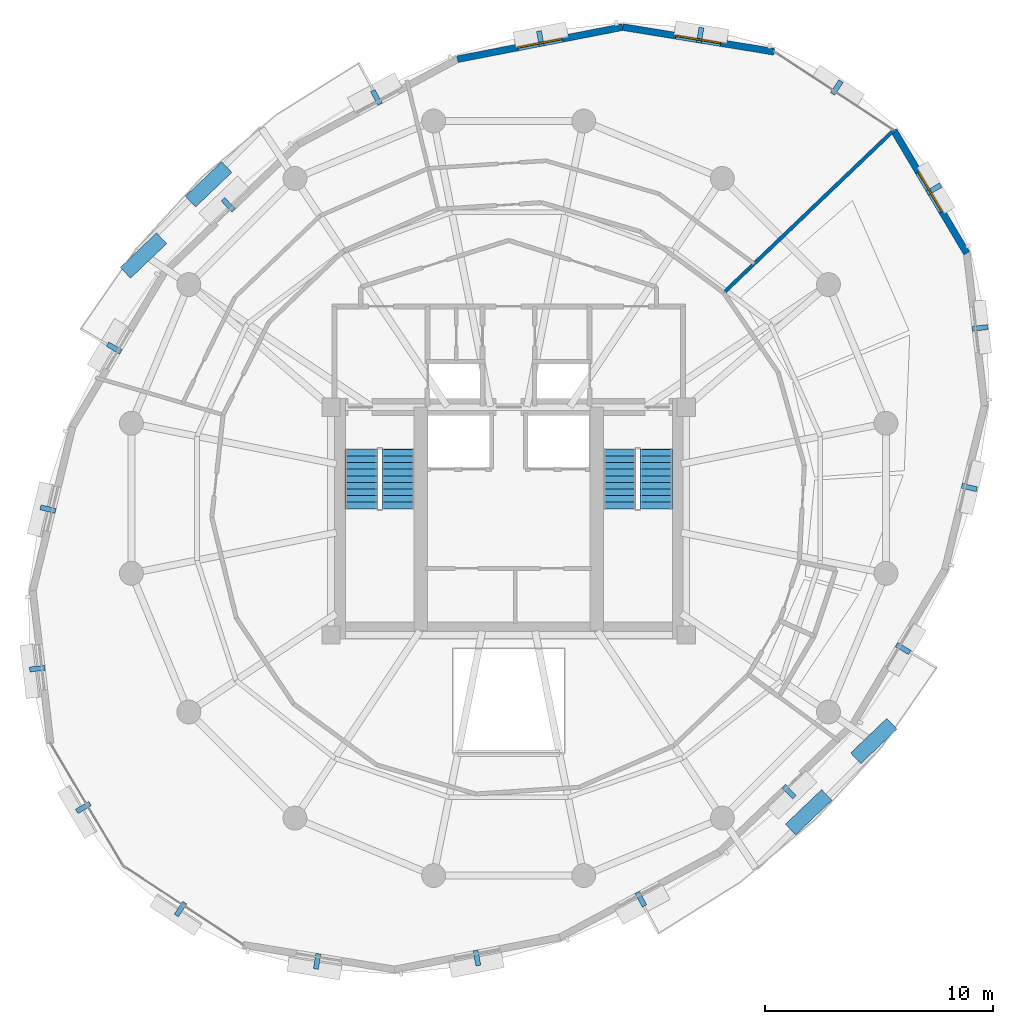
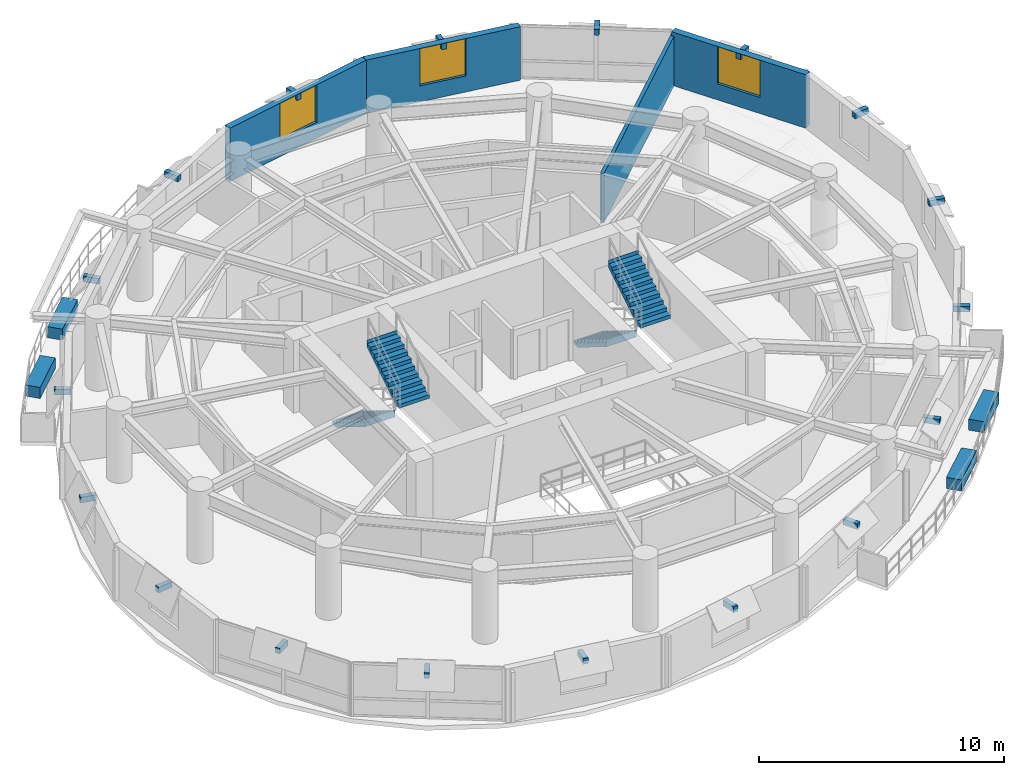
# One storey, part 10 of 12: 22 discrete accessories, 4 stair flights, 4 walls, 3 windows, 3 openings, 2 elements without a shape of their own.
"""IFC4 building model written with IfcOpenShell, lengths in metres."""

from ifc_helpers import new_model, si_unit, direction, frame, frame_2d, origin, origin_2d, place, context, subcontext, project, spatial, polyline, rectangle, outline, extrude, material, layer, layer_set, type_object, element, fill, aggregate, save


model = new_model("IFC4")

# Units and contexts
model_context = context("Model", 3, precision=1e-05, world=origin(), true_north=direction((0.0, 1.0)))
body_context = subcontext(model_context, "Body", "Model", "MODEL_VIEW")
ifc_project = project(units=[si_unit("LENGTHUNIT", "METRE"), si_unit("AREAUNIT", "SQUARE_METRE"), si_unit("VOLUMEUNIT", "CUBIC_METRE"), si_unit("PLANEANGLEUNIT", "RADIAN"), si_unit("MASSUNIT", "GRAM", prefix="KILO"), si_unit("THERMODYNAMICTEMPERATUREUNIT", "KELVIN"), si_unit("POWERUNIT", "WATT")], contexts=[model_context])

# Site, building, storey
site_placement = place(None, origin())
site = spatial("IfcSite", under=ifc_project, at=site_placement, CompositionType="ELEMENT")
building_placement = place(site_placement, origin())
building = spatial("IfcBuilding", under=site, at=building_placement, Name="Ocrelia Relay Tower", CompositionType="ELEMENT")
storey_placement = place(building_placement, frame((0.0, 0.0, 213.199951171875)))
storey = spatial("IfcBuildingStorey", under=building, at=storey_placement, Name="L52", CompositionType="ELEMENT", Elevation=213.199951171875)

# Wall, opening, window
ifc_material_1 = material(Name="Precast concrete C40/50 with oxide terracotta", Category="masonry")
ifc_layer_1 = layer(ifc_material_1, 0.300048828125, Name="Precast concrete C40/50 with oxide terracotta")
ifc_layer_set_1 = layer_set([ifc_layer_1], Name="Precast concrete C40/50 with oxide terracotta")
wall_type_1 = type_object("IfcWallType", Name="W-EXT-TERR-300", PredefinedType="SOLIDWALL", material=ifc_layer_set_1)
wall_1_placement = place(storey_placement, frame((45.66748046875, 45.617919921875, 0.0), z_axis=(0.0, 0.0, 1.0), x_axis=(-0.986978419701, 0.160852724701, 0.0)))
wall_1 = element("IfcWall", 1, at=wall_1_placement, inside=storey, type_object=wall_type_1, Name="L52 Oxide Terracotta Facade Wall 02", PredefinedType="SOLIDWALL", context=body_context, shape_type="SweptSolid", body=[
    extrude(rectangle(XDim=6.7451171875, YDim=0.300048828125, at=frame_2d((3.37255859375, 0.0))), origin(), (0.0, 0.0, 1.0), 2.66015625),
])
opening_1_placement = place(wall_1_placement, frame((2.373046875, 0.0, 0.800048828125)))
opening_1 = element("IfcOpeningElement", 2, at=opening_1_placement, cuts=wall_1, Name="Opening W-03", PredefinedType="OPENING", context=body_context, shape_type="SweptSolid", body=[
    extrude(rectangle(XDim=2.0, YDim=1.85009765625, at=frame_2d((1.0, 0.925048828125))), frame((0.0, 0.16015625, 0.0), z_axis=(0.0, -1.0, 0.0), x_axis=(1.0, 0.0, 0.0)), (0.0, 0.0, 1.0), 0.320068359375),
])
ifc_material_2 = material(Name="Clear double-glazed low-E glass", Category="glass")
window_type = type_object("IfcWindowType", Name="WIN-Z3-2000x2200", PartitioningType="DOUBLE_PANEL_VERTICAL", PredefinedType="WINDOW", material=ifc_material_2)
window_1_placement = place(opening_1_placement, origin())
window_1 = element("IfcWindow", 3, at=window_1_placement, inside=storey, type_object=window_type, Name="L52 Facade Module Window 02", OverallHeight=1.85009765625, OverallWidth=2.0, PartitioningType="SINGLE_PANEL", PredefinedType="WINDOW", context=body_context, shape_type="SweptSolid", body=[
    extrude(rectangle(XDim=2.0, YDim=1.85009765625, at=frame_2d((1.0, 0.925048828125))), frame((0.0, 0.030029296875, 0.0), z_axis=(0.0, -1.0, 0.0), x_axis=(1.0, 0.0, 0.0)), (0.0, 0.0, 1.0), 0.06005859375),
])
fill(opening_1, window_1)

wall_2_placement = place(storey_placement, frame((39.01025390625, 46.702880859375, 0.0), z_axis=(0.0, 0.0, 1.0), x_axis=(-0.9816114389, -0.190889976216, 0.0)))
wall_2 = element("IfcWall", 4, at=wall_2_placement, inside=storey, type_object=wall_type_1, Name="L52 Oxide Terracotta Facade Wall 03", PredefinedType="SOLIDWALL", context=body_context, shape_type="SweptSolid", body=[
    extrude(rectangle(XDim=7.3974609375, YDim=0.300048828125, at=frame_2d((3.69873046875, 0.0))), origin(), (0.0, 0.0, 1.0), 2.66015625),
])
opening_2_placement = place(wall_2_placement, frame((2.698974609375, 0.0, 0.800048828125)))
opening_2 = element("IfcOpeningElement", 5, at=opening_2_placement, cuts=wall_2, Name="Opening W-03", PredefinedType="OPENING", context=body_context, shape_type="SweptSolid", body=[
    extrude(rectangle(XDim=2.0, YDim=1.85009765625, at=frame_2d((1.0, 0.925048828125))), frame((0.0, 0.16015625, 0.0), z_axis=(0.0, -1.0, 0.0), x_axis=(1.0, 0.0, 0.0)), (0.0, 0.0, 1.0), 0.320068359375),
])
window_2_placement = place(opening_2_placement, origin())
window_2 = element("IfcWindow", 6, at=window_2_placement, inside=storey, type_object=window_type, Name="L52 Facade Module Window 03", OverallHeight=1.85009765625, OverallWidth=2.0, PartitioningType="SINGLE_PANEL", PredefinedType="WINDOW", context=body_context, shape_type="SweptSolid", body=[
    extrude(rectangle(XDim=2.0, YDim=1.85009765625, at=frame_2d((1.0, 0.925048828125))), frame((0.0, 0.030029296875, 0.0), z_axis=(0.0, -1.0, 0.0), x_axis=(1.0, 0.0, 0.0)), (0.0, 0.0, 1.0), 0.06005859375),
])
fill(opening_2, window_2)

wall_3_placement = place(storey_placement, frame((54.126953125, 36.765625, 0.0), z_axis=(0.0, 0.0, 1.0), x_axis=(-0.510856559467, 0.859665967483, 0.0)))
wall_3 = element("IfcWall", 7, at=wall_3_placement, inside=storey, type_object=wall_type_1, Name="L52 Oxide Terracotta Facade Wall 18", PredefinedType="SOLIDWALL", context=body_context, shape_type="SweptSolid", body=[
    extrude(rectangle(XDim=6.282470703125, YDim=0.300048828125, at=frame_2d((3.14111328125, 0.0))), origin(), (0.0, 0.0, 1.0), 2.66015625),
])
opening_3_placement = place(wall_3_placement, frame((2.14111328125, 0.0, 0.800048828125)))
opening_3 = element("IfcOpeningElement", 8, at=opening_3_placement, cuts=wall_3, Name="Opening W-03", PredefinedType="OPENING", context=body_context, shape_type="SweptSolid", body=[
    extrude(rectangle(XDim=2.0, YDim=1.85009765625, at=frame_2d((1.0, 0.925048828125))), frame((0.0, 0.16015625, 0.0), z_axis=(0.0, -1.0, 0.0), x_axis=(1.0, 0.0, 0.0)), (0.0, 0.0, 1.0), 0.320068359375),
])
window_3_placement = place(opening_3_placement, origin())
window_3 = element("IfcWindow", 9, at=window_3_placement, inside=storey, type_object=window_type, Name="L52 Facade Module Window 18", OverallHeight=1.85009765625, OverallWidth=2.0, PartitioningType="SINGLE_PANEL", PredefinedType="WINDOW", context=body_context, shape_type="SweptSolid", body=[
    extrude(rectangle(XDim=2.0, YDim=1.85009765625, at=frame_2d((1.0, 0.925048828125))), frame((0.0, 0.030029296875, 0.0), z_axis=(0.0, -1.0, 0.0), x_axis=(1.0, 0.0, 0.0)), (0.0, 0.0, 1.0), 0.06005859375),
])
fill(opening_3, window_3)

# Wall
ifc_material_3 = material(Name="Acoustic Fireboard Partition EI60", Category="gypsum")
ifc_layer_2 = layer(ifc_material_3, 0.159912109375, Name="Acoustic Fireboard Partition EI60")
ifc_layer_set_2 = layer_set([ifc_layer_2], Name="Acoustic Fireboard Partition EI60")
wall_type_2 = type_object("IfcWallType", Name="W-PART-160", PredefinedType="PARTITIONING", material=ifc_layer_set_2)
wall_4_placement = place(storey_placement, frame((43.44921875, 35.02978515625, 0.0), z_axis=(0.0, 0.0, 1.0), x_axis=(0.722972327668, 0.690876988636, 0.0)))
element("IfcWall", 10, at=wall_4_placement, inside=storey, type_object=wall_type_2, Name="L52 Spectrum Operations Office Radial Partition", PredefinedType="PARTITIONING", context=body_context, shape_type="SweptSolid", body=[
    extrude(rectangle(XDim=10.329833984375, YDim=0.159912109375, at=frame_2d((5.1650390625, 0.0))), origin(), (0.0, 0.0, 1.0), 2.4599609375),
])

# Stair, stair flights
ifc_material_4 = material(Name="Concrete C50/60", Category="concrete")
stair_type = type_object("IfcStairType", Name="ST-DL-1420-R180", PredefinedType="HALF_TURN_STAIR", material=ifc_material_4)
stair_1_placement = place(storey_placement, origin())
stair_1 = element("IfcStair", 11, at=stair_1_placement, inside=storey, type_object=stair_type, Name="L52 West Core Exit Stair ST1", PredefinedType="HALF_TURN_STAIR")
stair_flight_type = type_object("IfcStairFlightType", Name="STF-DL-1420-R180", PredefinedType="STRAIGHT", material=ifc_material_4)
stair_flight_1_placement = place(storey_placement, frame((27.52001953125, 28.14990234375, 0.0), z_axis=(0.0, 0.0, 1.0), x_axis=(0.0, -1.0, 0.0)))
stair_flight_1 = element("IfcStairFlight", 12, at=stair_flight_1_placement, type_object=stair_flight_type, Name="ST1 flight 1", NumberOfRisers=10, NumberOfTreads=9, PredefinedType="STRAIGHT", RiserHeight=0.18, TreadLength=0.29, context=body_context, shape_type="SweptSolid", body=[
    extrude(outline(polyline([(-0.008056640625, 0.0), (-0.008056640625, 0.179931640625), (0.0, 0.179931640625), (0.2900390625, 0.179931640625), (0.2900390625, 0.360107421875), (0.580078125, 0.360107421875), (0.580078125, 0.5400390625), (0.8701171875, 0.5400390625), (0.8701171875, 0.719970703125), (1.159912109375, 0.719970703125), (1.159912109375, 0.89990234375), (1.449951171875, 0.89990234375), (1.449951171875, 1.080078125), (1.739990234375, 1.080078125), (1.739990234375, 1.260009765625), (2.030029296875, 1.260009765625), (2.030029296875, 1.43994140625), (2.320068359375, 1.43994140625), (2.320068359375, 1.6201171875), (2.610107421875, 1.6201171875), (2.610107421875, 1.800048828125), (2.617919921875, 1.800048828125), (2.617919921875, 1.443603515625), (0.2841796875, 0.0), (-0.008056640625, 0.0)])), frame((0.0, 0.7099609375, 0.0), z_axis=(0.0, -1.0, 0.0), x_axis=(1.0, 0.0, 0.0)), (0.0, 0.0, 1.0), 1.419921875),
])
stair_flight_2_placement = place(storey_placement, frame((29.139892578125, 25.5400390625, 1.800048828125), z_axis=(0.0, 0.0, 1.0), x_axis=(0.0, 1.0, 0.0)))
stair_flight_2 = element("IfcStairFlight", 13, at=stair_flight_2_placement, type_object=stair_flight_type, Name="ST1 flight 2", NumberOfRisers=10, NumberOfTreads=9, PredefinedType="STRAIGHT", RiserHeight=0.18, TreadLength=0.29, context=body_context, shape_type="SweptSolid", body=[
    extrude(outline(polyline([(-0.008056640625, 0.0), (-0.008056640625, 0.179931640625), (0.0, 0.179931640625), (0.2900390625, 0.179931640625), (0.2900390625, 0.360107421875), (0.580078125, 0.360107421875), (0.580078125, 0.5400390625), (0.8701171875, 0.5400390625), (0.8701171875, 0.719970703125), (1.159912109375, 0.719970703125), (1.159912109375, 0.89990234375), (1.449951171875, 0.89990234375), (1.449951171875, 1.080078125), (1.739990234375, 1.080078125), (1.739990234375, 1.260009765625), (2.030029296875, 1.260009765625), (2.030029296875, 1.43994140625), (2.320068359375, 1.43994140625), (2.320068359375, 1.6201171875), (2.610107421875, 1.6201171875), (2.610107421875, 1.800048828125), (2.617919921875, 1.800048828125), (2.617919921875, 1.443603515625), (0.2841796875, 0.0), (-0.008056640625, 0.0)])), frame((0.0, 0.7099609375, 0.0), z_axis=(0.0, -1.0, 0.0), x_axis=(1.0, 0.0, 0.0)), (0.0, 0.0, 1.0), 1.419921875),
])
aggregate(stair_1, [stair_flight_1, stair_flight_2])

stair_2_placement = place(storey_placement, origin())
stair_2 = element("IfcStair", 14, at=stair_2_placement, inside=storey, type_object=stair_type, Name="L52 East Core Exit Stair ST2", PredefinedType="HALF_TURN_STAIR")
stair_flight_3_placement = place(storey_placement, frame((38.8701171875, 28.14990234375, 0.0), z_axis=(0.0, 0.0, 1.0), x_axis=(0.0, -1.0, 0.0)))
stair_flight_3 = element("IfcStairFlight", 15, at=stair_flight_3_placement, type_object=stair_flight_type, Name="ST2 flight 1", NumberOfRisers=10, NumberOfTreads=9, PredefinedType="STRAIGHT", RiserHeight=0.18, TreadLength=0.29, context=body_context, shape_type="SweptSolid", body=[
    extrude(outline(polyline([(-0.008056640625, 0.0), (-0.008056640625, 0.179931640625), (0.0, 0.179931640625), (0.2900390625, 0.179931640625), (0.2900390625, 0.360107421875), (0.580078125, 0.360107421875), (0.580078125, 0.5400390625), (0.8701171875, 0.5400390625), (0.8701171875, 0.719970703125), (1.159912109375, 0.719970703125), (1.159912109375, 0.89990234375), (1.449951171875, 0.89990234375), (1.449951171875, 1.080078125), (1.739990234375, 1.080078125), (1.739990234375, 1.260009765625), (2.030029296875, 1.260009765625), (2.030029296875, 1.43994140625), (2.320068359375, 1.43994140625), (2.320068359375, 1.6201171875), (2.610107421875, 1.6201171875), (2.610107421875, 1.800048828125), (2.617919921875, 1.800048828125), (2.617919921875, 1.443603515625), (0.2841796875, 0.0), (-0.008056640625, 0.0)])), frame((0.0, 0.7099609375, 0.0), z_axis=(0.0, -1.0, 0.0), x_axis=(1.0, 0.0, 0.0)), (0.0, 0.0, 1.0), 1.419921875),
])
stair_flight_4_placement = place(storey_placement, frame((40.489990234375, 25.5400390625, 1.800048828125), z_axis=(0.0, 0.0, 1.0), x_axis=(0.0, 1.0, 0.0)))
stair_flight_4 = element("IfcStairFlight", 16, at=stair_flight_4_placement, type_object=stair_flight_type, Name="ST2 flight 2", NumberOfRisers=10, NumberOfTreads=9, PredefinedType="STRAIGHT", RiserHeight=0.18, TreadLength=0.29, context=body_context, shape_type="SweptSolid", body=[
    extrude(outline(polyline([(-0.008056640625, 0.0), (-0.008056640625, 0.179931640625), (0.0, 0.179931640625), (0.2900390625, 0.179931640625), (0.2900390625, 0.360107421875), (0.580078125, 0.360107421875), (0.580078125, 0.5400390625), (0.8701171875, 0.5400390625), (0.8701171875, 0.719970703125), (1.159912109375, 0.719970703125), (1.159912109375, 0.89990234375), (1.449951171875, 0.89990234375), (1.449951171875, 1.080078125), (1.739990234375, 1.080078125), (1.739990234375, 1.260009765625), (2.030029296875, 1.260009765625), (2.030029296875, 1.43994140625), (2.320068359375, 1.43994140625), (2.320068359375, 1.6201171875), (2.610107421875, 1.6201171875), (2.610107421875, 1.800048828125), (2.617919921875, 1.800048828125), (2.617919921875, 1.443603515625), (0.2841796875, 0.0), (-0.008056640625, 0.0)])), frame((0.0, 0.7099609375, 0.0), z_axis=(0.0, -1.0, 0.0), x_axis=(1.0, 0.0, 0.0)), (0.0, 0.0, 1.0), 1.419921875),
])
aggregate(stair_2, [stair_flight_3, stair_flight_4])

# Discrete accessories
ifc_material_5 = material(Name="Precast concrete C40/50 planter with highland greenery", Category="concrete")
discrete_accessory_type_1 = type_object("IfcDiscreteAccessoryType", Name="ACC-BALC-PLANTER", PredefinedType="USERDEFINED", material=ifc_material_5)
for number, where, z_axis, x_axis, name in (
    (17, (20.819580078125, 39.792236328125, 0.0), (0.0, 0.0, 1.0), (0.72297011864, 0.690879300278, 0.0), "L52 Balcony Terracotta Planter with Greenery B1"),
    (18, (17.9580078125, 36.6650390625, 0.0), (0.0, 0.0, 1.0), (0.72297011864, 0.690879300278, 0.0), "L52 Balcony Terracotta Planter B1-2"),
    (19, (47.180419921875, 12.207763671875, 0.0), (0.0, 0.0, 1.0), (-0.72297011864, -0.690879300278, 0.0), "L52 Balcony Terracotta Planter with Greenery B2"),
    (20, (50.0419921875, 15.3349609375, 0.0), (0.0, 0.0, 1.0), (-0.72297011864, -0.690879300278, 0.0), "L52 Balcony Terracotta Planter B2-2"),
):
    element("IfcDiscreteAccessory", number, at=place(storey_placement, frame(where, z_axis=z_axis, x_axis=x_axis)), inside=storey, type_object=discrete_accessory_type_1, Name=name, ObjectType="PLANTER", PredefinedType="USERDEFINED", context=body_context, shape_type="SweptSolid", body=[
        extrude(rectangle(XDim=2.199951171875, YDim=0.64990234375, at=origin_2d()), origin(), (0.0, 0.0, 1.0), 0.550048828125),
    ])
ifc_material_6 = material(Name="Steel S355", Category="steel")
discrete_accessory_type_2 = type_object("IfcDiscreteAccessoryType", Name="ACC-VISOR-BRACKET", PredefinedType="BRACKET", material=ifc_material_6)
for number, where, z_axis, x_axis, name in (
    (21, (48.417236328125, 44.048583984375, 2.35986328125), (0.0, 0.0, 1.0), (-0.835613007377, 0.549318579608, 0.0), "L52 Visor Mounting Bracket 01"),
    (22, (42.415283203125, 46.34521484375, 2.35986328125), (0.0, 0.0, 1.0), (-0.986977398375, 0.160858991349, 0.0), "L52 Visor Mounting Bracket 02"),
    (23, (35.393310546875, 46.1962890625, 2.35986328125), (0.0, 0.0, 1.0), (-0.981611801437, -0.19088811194, 0.0), "L52 Visor Mounting Bracket 03"),
    (24, (28.191162109375, 43.611083984375, 2.35986328125), (0.0, 0.0, 1.0), (-0.881781347614, -0.471658409233, 0.0), "L52 Visor Mounting Bracket 04"),
    (25, (21.682861328125, 38.88916015625, 2.35986328125), (0.0, 0.0, 1.0), (-0.722970476778, -0.690878925505, 0.0), "L52 Visor Mounting Bracket 05"),
    (26, (16.67041015625, 32.601806640625, 2.35986328125), (0.0, 0.0, 1.0), (-0.511169344798, -0.859480017766, 0.0), "L52 Visor Mounting Bracket 06"),
    (27, (13.761474609375, 25.5244140625, 2.35986328125), (0.0, 0.0, 1.0), (-0.235213108583, -0.97194382222, 0.0), "L52 Visor Mounting Bracket 07"),
    (28, (13.294189453125, 18.51611328125, 2.35986328125), (0.0, 0.0, 1.0), (0.115907027352, -0.993260067158, 0.0), "L52 Visor Mounting Bracket 08"),
    (29, (15.316162109375, 12.416259765625, 2.35986328125), (0.0, 0.0, 1.0), (0.510851311263, -0.859669086208, 0.0), "L52 Visor Mounting Bracket 09"),
    (30, (19.582763671875, 7.951416015625, 2.35986328125), (0.0, 0.0, 1.0), (0.835613007377, -0.549318579608, 0.0), "L52 Visor Mounting Bracket 10"),
    (31, (25.584716796875, 5.65478515625, 2.35986328125), (0.0, 0.0, 1.0), (0.986977398375, -0.160858991349, 0.0), "L52 Visor Mounting Bracket 11"),
    (32, (32.606689453125, 5.8037109375, 2.35986328125), (0.0, 0.0, 1.0), (0.981611801437, 0.19088811194, 0.0), "L52 Visor Mounting Bracket 12"),
    (33, (39.808837890625, 8.388916015625, 2.35986328125), (0.0, 0.0, 1.0), (0.881781347614, 0.471658409233, 0.0), "L52 Visor Mounting Bracket 13"),
    (34, (46.317138671875, 13.11083984375, 2.35986328125), (0.0, 0.0, 1.0), (0.722970476778, 0.690878925505, 0.0), "L52 Visor Mounting Bracket 14"),
    (35, (51.32958984375, 19.398193359375, 2.35986328125), (0.0, 0.0, 1.0), (0.511169344798, 0.859480017766, 0.0), "L52 Visor Mounting Bracket 15"),
    (36, (54.238525390625, 26.4755859375, 2.35986328125), (0.0, 0.0, 1.0), (0.235213108583, 0.97194382222, 0.0), "L52 Visor Mounting Bracket 16"),
    (37, (54.705810546875, 33.48388671875, 2.35986328125), (0.0, 0.0, 1.0), (-0.115907027352, 0.993260067158, 0.0), "L52 Visor Mounting Bracket 17"),
    (38, (52.683837890625, 39.583740234375, 2.35986328125), (0.0, 0.0, 1.0), (-0.510851311263, 0.859669086208, 0.0), "L52 Visor Mounting Bracket 18"),
):
    element("IfcDiscreteAccessory", number, at=place(storey_placement, frame(where, z_axis=z_axis, x_axis=x_axis)), inside=storey, type_object=discrete_accessory_type_2, Name=name, PredefinedType="BRACKET", context=body_context, shape_type="SweptSolid", body=[
        extrude(rectangle(XDim=0.219970703125, YDim=0.679931640625, at=origin_2d()), origin(), (0.0, 0.0, 1.0), 0.280029296875),
    ])

save(model, "model.ifc")
